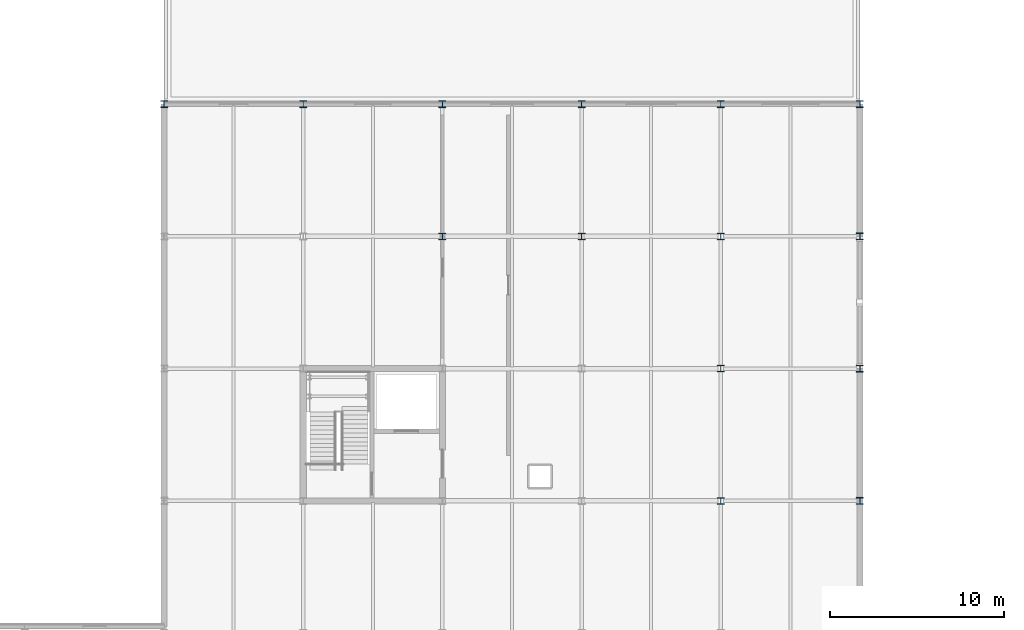
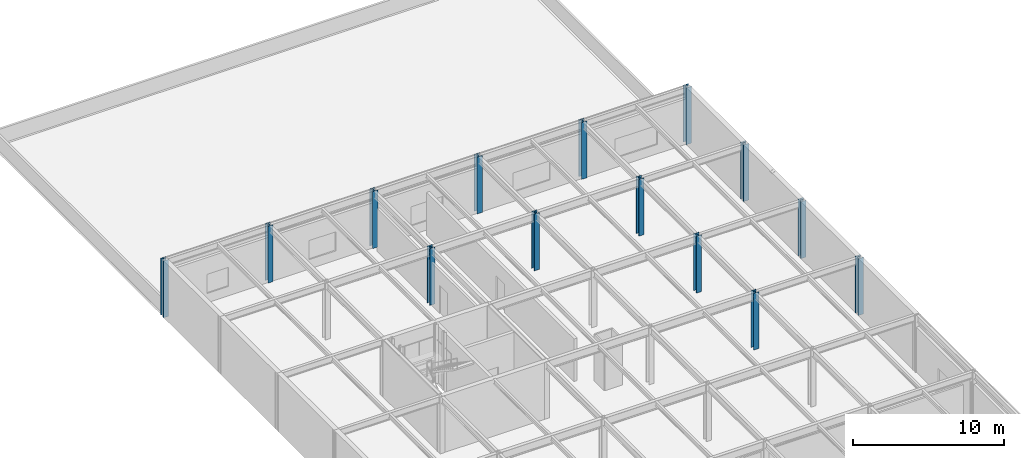
# One storey, part 16 of 104: 14 columns.
"""IFC4 building model written with IfcOpenShell, lengths in metres."""

from ifc_helpers import new_model, si_unit, direction, frame, origin, origin_2d, place, context, subcontext, project, spatial, i_section, extrude, material, material_profile, profile_set, type_object, element, save


model = new_model("IFC4")

# Units and contexts
model_context = context("Model", 3, precision=1e-05, world=origin(), true_north=direction((0.0, 1.0)))
body_context = subcontext(model_context, "Body", "Model", "MODEL_VIEW")
ifc_project = project(units=[si_unit("LENGTHUNIT", "METRE"), si_unit("AREAUNIT", "SQUARE_METRE"), si_unit("VOLUMEUNIT", "CUBIC_METRE"), si_unit("PLANEANGLEUNIT", "RADIAN"), si_unit("MASSUNIT", "GRAM", prefix="KILO")], contexts=[model_context])

# Site, building, storey
site_placement = place(None, origin())
site = spatial("IfcSite", under=ifc_project, at=site_placement, CompositionType="ELEMENT")
building_placement = place(site_placement, origin())
building = spatial("IfcBuilding", under=site, at=building_placement, Name="Zulena Civic Courthouse", CompositionType="ELEMENT")
storey_placement = place(building_placement, frame((0.0, 0.0, 10.800048828125)))
storey = spatial("IfcBuildingStorey", under=building, at=storey_placement, Name="L02", CompositionType="ELEMENT", Elevation=10.800048828125)

# Columns
ifc_material = material(Name="Steel ASTM A992 Grade 50", Category="steel")
ifc_material_profile_1 = material_profile(ifc_material, i_section(OverallWidth=0.39404296875, OverallDepth=0.3759765625, WebThickness=0.017333984375, FlangeThickness=0.027587890625, FilletRadius=0.01513671875, at=origin_2d()), Name="W14X145")
ifc_profile_set_1 = profile_set([ifc_material_profile_1], Name="Steel ASTM A992 Grade 50")
column_type_1 = type_object("IfcColumnType", Name="Col_W14X145", PredefinedType="COLUMN", material=ifc_profile_set_1)
for number, where, z_axis, x_axis, name in (
    (1, (84.0, 83.60009765625, 0.0), (0.0, 0.0, 1.0), (1.0, 0.0, 0.0), "col:V5:L02:84.0:83.6"),
    (2, (92.0, 83.60009765625, 0.0), (0.0, 0.0, 1.0), (1.0, 0.0, 0.0), "col:V5:L02:92.0:83.6"),
    (3, (100.0, 68.39990234375, 0.0), (0.0, 0.0, 1.0), (1.0, 0.0, 0.0), "col:V5:L02:100.0:68.4"),
    (4, (100.0, 76.0, 0.0), (0.0, 0.0, 1.0), (1.0, 0.0, 0.0), "col:V5:L02:100.0:76.0"),
    (5, (100.0, 83.60009765625, 0.0), (0.0, 0.0, 1.0), (1.0, 0.0, 0.0), "col:V5:L02:100.0:83.6"),
):
    element("IfcColumn", number, at=place(storey_placement, frame(where, z_axis=z_axis, x_axis=x_axis)), inside=storey, type_object=column_type_1, Name=name, PredefinedType="COLUMN", context=body_context, shape_type="SweptSolid", body=[
        extrude(i_section(OverallWidth=0.39404296875, OverallDepth=0.3759765625, WebThickness=0.017333984375, FlangeThickness=0.027587890625, FilletRadius=0.01513671875, at=origin_2d()), origin(), (0.0, 0.0, 1.0), 4.58984375),
    ])
ifc_material_profile_2 = material_profile(ifc_material, i_section(OverallWidth=0.39892578125, OverallDepth=0.386962890625, WebThickness=0.02099609375, FlangeThickness=0.033203125, FilletRadius=0.01513671875, at=origin_2d()), Name="W14X176")
ifc_profile_set_2 = profile_set([ifc_material_profile_2], Name="Steel ASTM A992 Grade 50")
column_type_2 = type_object("IfcColumnType", Name="Col_W14X176", PredefinedType="COLUMN", material=ifc_profile_set_2)
for number, where, z_axis, x_axis, name in (
    (6, (68.0, 91.199951171875, 0.0), (0.0, 0.0, 1.0), (1.0, 0.0, 0.0), "col:V5:L02:68.0:91.2"),
    (7, (76.0, 91.199951171875, 0.0), (0.0, 0.0, 1.0), (1.0, 0.0, 0.0), "col:V5:L02:76.0:91.2"),
):
    element("IfcColumn", number, at=place(storey_placement, frame(where, z_axis=z_axis, x_axis=x_axis)), inside=storey, type_object=column_type_2, Name=name, PredefinedType="COLUMN", context=body_context, shape_type="SweptSolid", body=[
        extrude(i_section(OverallWidth=0.39892578125, OverallDepth=0.386962890625, WebThickness=0.02099609375, FlangeThickness=0.033203125, FilletRadius=0.01513671875, at=origin_2d()), origin(), (0.0, 0.0, 1.0), 4.58984375),
    ])
ifc_material_profile_3 = material_profile(ifc_material, i_section(OverallWidth=0.40087890625, OverallDepth=0.39892578125, WebThickness=0.02490234375, FlangeThickness=0.03955078125, FilletRadius=0.01513671875, at=origin_2d()), Name="W14X211")
ifc_profile_set_3 = profile_set([ifc_material_profile_3], Name="Steel ASTM A992 Grade 50")
column_type_3 = type_object("IfcColumnType", Name="Col_W14X211", PredefinedType="COLUMN", material=ifc_profile_set_3)
for number, where, z_axis, x_axis, name in (
    (8, (84.0, 91.199951171875, 0.0), (0.0, 0.0, 1.0), (1.0, 0.0, 0.0), "col:V5:L02:84.0:91.2"),
    (9, (92.0, 91.199951171875, 0.0), (0.0, 0.0, 1.0), (1.0, 0.0, 0.0), "col:V5:L02:92.0:91.2"),
    (10, (100.0, 91.199951171875, 0.0), (0.0, 0.0, 1.0), (1.0, 0.0, 0.0), "col:V5:L02:100.0:91.2"),
    (11, (108.0, 68.39990234375, 0.0), (0.0, 0.0, 1.0), (1.0, 0.0, 0.0), "col:V5:L02:108.0:68.4"),
    (12, (108.0, 76.0, 0.0), (0.0, 0.0, 1.0), (1.0, 0.0, 0.0), "col:V5:L02:108.0:76.0"),
    (13, (108.0, 83.60009765625, 0.0), (0.0, 0.0, 1.0), (1.0, 0.0, 0.0), "col:V5:L02:108.0:83.6"),
    (14, (108.0, 91.199951171875, 0.0), (0.0, 0.0, 1.0), (1.0, 0.0, 0.0), "col:V5:L02:108.0:91.2"),
):
    element("IfcColumn", number, at=place(storey_placement, frame(where, z_axis=z_axis, x_axis=x_axis)), inside=storey, type_object=column_type_3, Name=name, PredefinedType="COLUMN", context=body_context, shape_type="SweptSolid", body=[
        extrude(i_section(OverallWidth=0.40087890625, OverallDepth=0.39892578125, WebThickness=0.02490234375, FlangeThickness=0.03955078125, FilletRadius=0.01513671875, at=origin_2d()), origin(), (0.0, 0.0, 1.0), 4.58984375),
    ])

save(model, "model.ifc")
